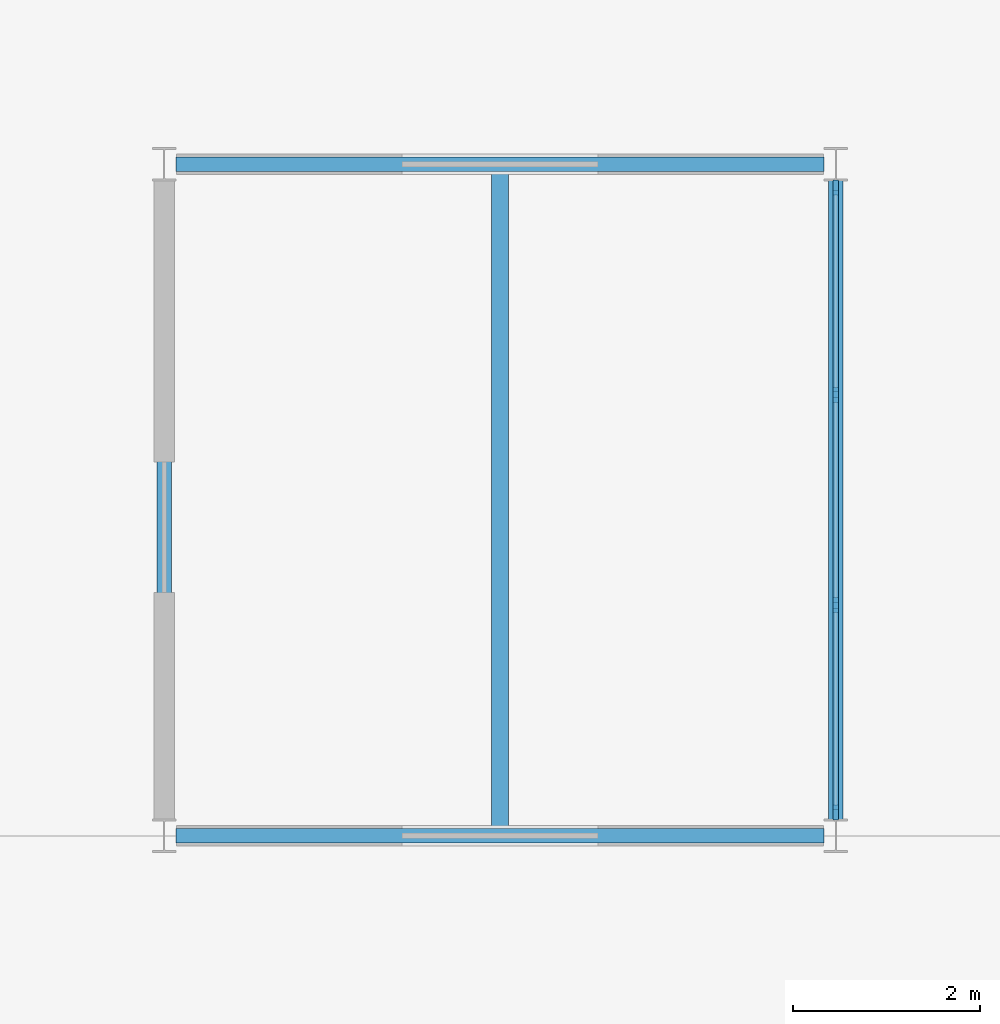
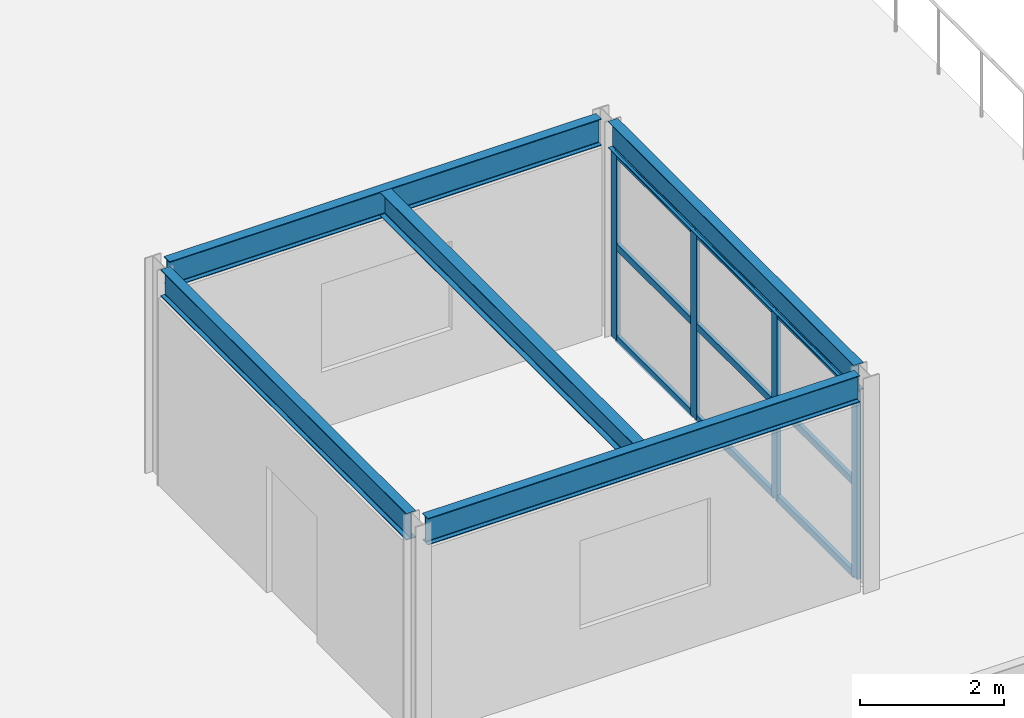
# One storey, part 22 of 52: 13 members, 5 beams, 1 element without a shape of its own.
"""IFC4 building model written with IfcOpenShell, lengths in metres."""

from ifc_helpers import new_model, si_unit, direction, frame, origin, origin_2d, place, context, subcontext, project, spatial, rectangle, i_section, extrude, material, material_profile, profile_set, type_object, element, aggregate, save


model = new_model("IFC4")

# Units and contexts
model_context = context("Model", 3, precision=1e-05, world=origin(), true_north=direction((0.0, 1.0)))
body_context = subcontext(model_context, "Body", "Model", "MODEL_VIEW")
ifc_project = project(units=[si_unit("LENGTHUNIT", "METRE"), si_unit("AREAUNIT", "SQUARE_METRE"), si_unit("VOLUMEUNIT", "CUBIC_METRE"), si_unit("PLANEANGLEUNIT", "RADIAN"), si_unit("MASSUNIT", "GRAM", prefix="KILO")], contexts=[model_context])

# Site, building, storey
site_placement = place(None, origin())
site = spatial("IfcSite", under=ifc_project, at=site_placement, CompositionType="ELEMENT")
building_placement = place(site_placement, origin())
building = spatial("IfcBuilding", under=site, at=building_placement, Name="Vaelcorin Mobility Hub", CompositionType="ELEMENT")
storey_placement = place(building_placement, frame((0.0, 0.0, 13.199951171875)))
storey = spatial("IfcBuildingStorey", under=building, at=storey_placement, Name="L03", CompositionType="ELEMENT", Elevation=13.199951171875)

# Beams
ifc_material_1 = material(Name="Steel ASTM A992 Grade 50", Category="steel")
ifc_material_profile_1 = material_profile(ifc_material_1, i_section(OverallWidth=0.177978515625, OverallDepth=0.404052734375, WebThickness=0.007568359375, FlangeThickness=0.010986328125, FilletRadius=0.012939453125, at=origin_2d()), Name="W16X36")
ifc_profile_set_1 = profile_set([ifc_material_profile_1], Name="Steel ASTM A992 Grade 50")
beam_type_1 = type_object("IfcBeamType", Name="BM-W16X36", PredefinedType="JOIST", material=ifc_profile_set_1)
beam_placement = place(storey_placement, frame((178.800048828125, 42.073974609375, 3.4580078125), z_axis=(0.0, 1.0, 0.0), x_axis=(-1.0, 0.0, 0.0)))
element("IfcBeam", 1, at=beam_placement, inside=storey, type_object=beam_type_1, Name="L03 Beam V5GPAVM-L03-J-01-01-1", PredefinedType="JOIST", context=body_context, shape_type="SweptSolid", body=[
    extrude(i_section(OverallWidth=0.177978515625, OverallDepth=0.404052734375, WebThickness=0.007568359375, FlangeThickness=0.010986328125, FilletRadius=0.012939453125, at=origin_2d()), origin(), (0.0, 0.0, 1.0), 7.052001953125),
])
ifc_material_profile_2 = material_profile(ifc_material_1, i_section(OverallWidth=0.152099609375, OverallDepth=0.455078125, WebThickness=0.008056640625, FlangeThickness=0.01318359375, FilletRadius=0.012939453125, at=origin_2d()), Name="W18X40")
ifc_profile_set_2 = profile_set([ifc_material_profile_2], Name="Steel ASTM A992 Grade 50")
beam_type_2 = type_object("IfcBeamType", Name="BM-W18X40", PredefinedType="JOIST", material=ifc_profile_set_2)
for number, where, z_axis, x_axis, name in (
    (2, (175.324951171875, 42.0, 3.43212890625), (1.0, 0.0, 0.0), (0.0, 1.0, 0.0), "L03 Beam V5GPAVM-L03-GX-01-01"),
    (3, (175.324951171875, 49.199951171875, 3.43212890625), (1.0, 0.0, 0.0), (0.0, 1.0, 0.0), "L03 Beam V5GPAVM-L03-GX-02-01"),
):
    element("IfcBeam", number, at=place(storey_placement, frame(where, z_axis=z_axis, x_axis=x_axis)), inside=storey, type_object=beam_type_2, Name=name, PredefinedType="JOIST", context=body_context, shape_type="SweptSolid", body=[
        extrude(i_section(OverallWidth=0.152099609375, OverallDepth=0.455078125, WebThickness=0.008056640625, FlangeThickness=0.01318359375, FilletRadius=0.012939453125, at=origin_2d()), origin(), (0.0, 0.0, 1.0), 6.949951171875),
    ])
for number, where, z_axis, x_axis, name in (
    (4, (175.199951171875, 42.176025390625, 3.43212890625), (0.0, 1.0, 0.0), (-1.0, 0.0, 0.0), "L03 Beam V5GPAVM-L03-GY-01-01"),
    (5, (182.39990234375, 42.176025390625, 3.43212890625), (0.0, 1.0, 0.0), (-1.0, 0.0, 0.0), "L03 Beam V5GPAVM-L03-GY-02-01"),
):
    element("IfcBeam", number, at=place(storey_placement, frame(where, z_axis=z_axis, x_axis=x_axis)), inside=storey, type_object=beam_type_2, Name=name, PredefinedType="JOIST", context=body_context, shape_type="SweptSolid", body=[
        extrude(i_section(OverallWidth=0.152099609375, OverallDepth=0.455078125, WebThickness=0.008056640625, FlangeThickness=0.01318359375, FilletRadius=0.012939453125, at=origin_2d()), origin(), (0.0, 0.0, 1.0), 6.847900390625),
    ])

# Curtain wall, members
ifc_material_2 = material(Name="Anodised aluminium 6063-T6", Category="aluminium")
curtain_wall_type = type_object("IfcCurtainWallType", Name="CW-MOB-A", PredefinedType="NOTDEFINED", material=ifc_material_2)
curtain_wall_placement = place(storey_placement, origin())
curtain_wall = element("IfcCurtainWall", 6, at=curtain_wall_placement, inside=storey, type_object=curtain_wall_type, Name="L03 Curtain Wall CW-L03-GPAVM-E-1", PredefinedType="NOTDEFINED")
ifc_material_profile_3 = material_profile(ifc_material_2, rectangle(XDim=0.06005859375, YDim=0.159912109375, at=origin_2d()), Name="ALU-M60X160")
ifc_profile_set_3 = profile_set([ifc_material_profile_3], Name="Anodised aluminium 6063-T6")
member_type_1 = type_object("IfcMemberType", Name="CW-MULL-160", PredefinedType="MULLION", material=ifc_profile_set_3)
member_1_placement = place(storey_placement, frame((182.39990234375, 48.949951171875, 0.0), z_axis=(0.0, 0.0, 1.0), x_axis=(1.0, 0.0, 0.0)))
member_1 = element("IfcMember", 7, at=member_1_placement, type_object=member_type_1, Name="CW7 mullion 1", PredefinedType="MULLION", context=body_context, shape_type="SweptSolid", body=[
    extrude(rectangle(XDim=0.06005859375, YDim=0.159912109375, at=origin_2d()), origin(), (0.0, 0.0, 1.0), 3.18994140625),
])
member_2_placement = place(storey_placement, frame((182.39990234375, 46.7265625, 0.0), z_axis=(0.0, 0.0, 1.0), x_axis=(1.0, 0.0, 0.0)))
member_2 = element("IfcMember", 8, at=member_2_placement, type_object=member_type_1, Name="CW7 mullion 2", PredefinedType="MULLION", context=body_context, shape_type="SweptSolid", body=[
    extrude(rectangle(XDim=0.06005859375, YDim=0.159912109375, at=origin_2d()), origin(), (0.0, 0.0, 1.0), 3.18994140625),
])
member_3_placement = place(storey_placement, frame((182.39990234375, 44.473388671875, 0.0), z_axis=(0.0, 0.0, 1.0), x_axis=(1.0, 0.0, 0.0)))
member_3 = element("IfcMember", 9, at=member_3_placement, type_object=member_type_1, Name="CW7 mullion 3", PredefinedType="MULLION", context=body_context, shape_type="SweptSolid", body=[
    extrude(rectangle(XDim=0.06005859375, YDim=0.159912109375, at=origin_2d()), origin(), (0.0, 0.0, 1.0), 3.18994140625),
])
member_4_placement = place(storey_placement, frame((182.39990234375, 42.25, 0.0), z_axis=(0.0, 0.0, 1.0), x_axis=(1.0, 0.0, 0.0)))
member_4 = element("IfcMember", 10, at=member_4_placement, type_object=member_type_1, Name="CW7 mullion 4", PredefinedType="MULLION", context=body_context, shape_type="SweptSolid", body=[
    extrude(rectangle(XDim=0.06005859375, YDim=0.159912109375, at=origin_2d()), origin(), (0.0, 0.0, 1.0), 3.18994140625),
])
ifc_material_profile_4 = material_profile(ifc_material_2, rectangle(XDim=0.06005859375, YDim=0.1201171875, at=origin_2d()), Name="ALU-T60X120")
ifc_profile_set_4 = profile_set([ifc_material_profile_4], Name="Anodised aluminium 6063-T6")
member_type_2 = type_object("IfcMemberType", Name="CW-TRAN-140", PredefinedType="USERDEFINED", material=ifc_profile_set_4)
member_5_placement = place(storey_placement, frame((182.39990234375, 48.919921875, 0.030029296875), z_axis=(0.0, -1.0, 0.0), x_axis=(1.0, 0.0, 0.0)))
member_5 = element("IfcMember", 11, at=member_5_placement, type_object=member_type_2, Name="CW7 transom 1.1", ObjectType="TRANSOM", PredefinedType="USERDEFINED", context=body_context, shape_type="SweptSolid", body=[
    extrude(rectangle(XDim=0.06005859375, YDim=0.1201171875, at=origin_2d()), origin(), (0.0, 0.0, 1.0), 2.163330078125),
])
member_6_placement = place(storey_placement, frame((182.39990234375, 48.919921875, 1.594970703125), z_axis=(0.0, -1.0, 0.0), x_axis=(1.0, 0.0, 0.0)))
member_6 = element("IfcMember", 12, at=member_6_placement, type_object=member_type_2, Name="CW7 transom 1.2", ObjectType="TRANSOM", PredefinedType="USERDEFINED", context=body_context, shape_type="SweptSolid", body=[
    extrude(rectangle(XDim=0.06005859375, YDim=0.1201171875, at=origin_2d()), origin(), (0.0, 0.0, 1.0), 2.163330078125),
])
member_7_placement = place(storey_placement, frame((182.39990234375, 48.919921875, 3.16015625), z_axis=(0.0, -1.0, 0.0), x_axis=(1.0, 0.0, 0.0)))
member_7 = element("IfcMember", 13, at=member_7_placement, type_object=member_type_2, Name="CW7 transom 1.3", ObjectType="TRANSOM", PredefinedType="USERDEFINED", context=body_context, shape_type="SweptSolid", body=[
    extrude(rectangle(XDim=0.06005859375, YDim=0.1201171875, at=origin_2d()), origin(), (0.0, 0.0, 1.0), 2.163330078125),
])
member_8_placement = place(storey_placement, frame((182.39990234375, 46.69677734375, 0.030029296875), z_axis=(0.0, -1.0, 0.0), x_axis=(1.0, 0.0, 0.0)))
member_8 = element("IfcMember", 14, at=member_8_placement, type_object=member_type_2, Name="CW7 transom 2.1", ObjectType="TRANSOM", PredefinedType="USERDEFINED", context=body_context, shape_type="SweptSolid", body=[
    extrude(rectangle(XDim=0.06005859375, YDim=0.1201171875, at=origin_2d()), origin(), (0.0, 0.0, 1.0), 2.193359375),
])
member_9_placement = place(storey_placement, frame((182.39990234375, 46.69677734375, 1.594970703125), z_axis=(0.0, -1.0, 0.0), x_axis=(1.0, 0.0, 0.0)))
member_9 = element("IfcMember", 15, at=member_9_placement, type_object=member_type_2, Name="CW7 transom 2.2", ObjectType="TRANSOM", PredefinedType="USERDEFINED", context=body_context, shape_type="SweptSolid", body=[
    extrude(rectangle(XDim=0.06005859375, YDim=0.1201171875, at=origin_2d()), origin(), (0.0, 0.0, 1.0), 2.193359375),
])
member_10_placement = place(storey_placement, frame((182.39990234375, 46.69677734375, 3.16015625), z_axis=(0.0, -1.0, 0.0), x_axis=(1.0, 0.0, 0.0)))
member_10 = element("IfcMember", 16, at=member_10_placement, type_object=member_type_2, Name="CW7 transom 2.3", ObjectType="TRANSOM", PredefinedType="USERDEFINED", context=body_context, shape_type="SweptSolid", body=[
    extrude(rectangle(XDim=0.06005859375, YDim=0.1201171875, at=origin_2d()), origin(), (0.0, 0.0, 1.0), 2.193359375),
])
member_11_placement = place(storey_placement, frame((182.39990234375, 44.443359375, 0.030029296875), z_axis=(0.0, -1.0, 0.0), x_axis=(1.0, 0.0, 0.0)))
member_11 = element("IfcMember", 17, at=member_11_placement, type_object=member_type_2, Name="CW7 transom 3.1", ObjectType="TRANSOM", PredefinedType="USERDEFINED", context=body_context, shape_type="SweptSolid", body=[
    extrude(rectangle(XDim=0.06005859375, YDim=0.1201171875, at=origin_2d()), origin(), (0.0, 0.0, 1.0), 2.163330078125),
])
member_12_placement = place(storey_placement, frame((182.39990234375, 44.443359375, 1.594970703125), z_axis=(0.0, -1.0, 0.0), x_axis=(1.0, 0.0, 0.0)))
member_12 = element("IfcMember", 18, at=member_12_placement, type_object=member_type_2, Name="CW7 transom 3.2", ObjectType="TRANSOM", PredefinedType="USERDEFINED", context=body_context, shape_type="SweptSolid", body=[
    extrude(rectangle(XDim=0.06005859375, YDim=0.1201171875, at=origin_2d()), origin(), (0.0, 0.0, 1.0), 2.163330078125),
])
member_13_placement = place(storey_placement, frame((182.39990234375, 44.443359375, 3.16015625), z_axis=(0.0, -1.0, 0.0), x_axis=(1.0, 0.0, 0.0)))
member_13 = element("IfcMember", 19, at=member_13_placement, type_object=member_type_2, Name="CW7 transom 3.3", ObjectType="TRANSOM", PredefinedType="USERDEFINED", context=body_context, shape_type="SweptSolid", body=[
    extrude(rectangle(XDim=0.06005859375, YDim=0.1201171875, at=origin_2d()), origin(), (0.0, 0.0, 1.0), 2.163330078125),
])
aggregate(curtain_wall, [member_1, member_2, member_3, member_4, member_5, member_6, member_7, member_8, member_9, member_10, member_11, member_12, member_13])

save(model, "model.ifc")
